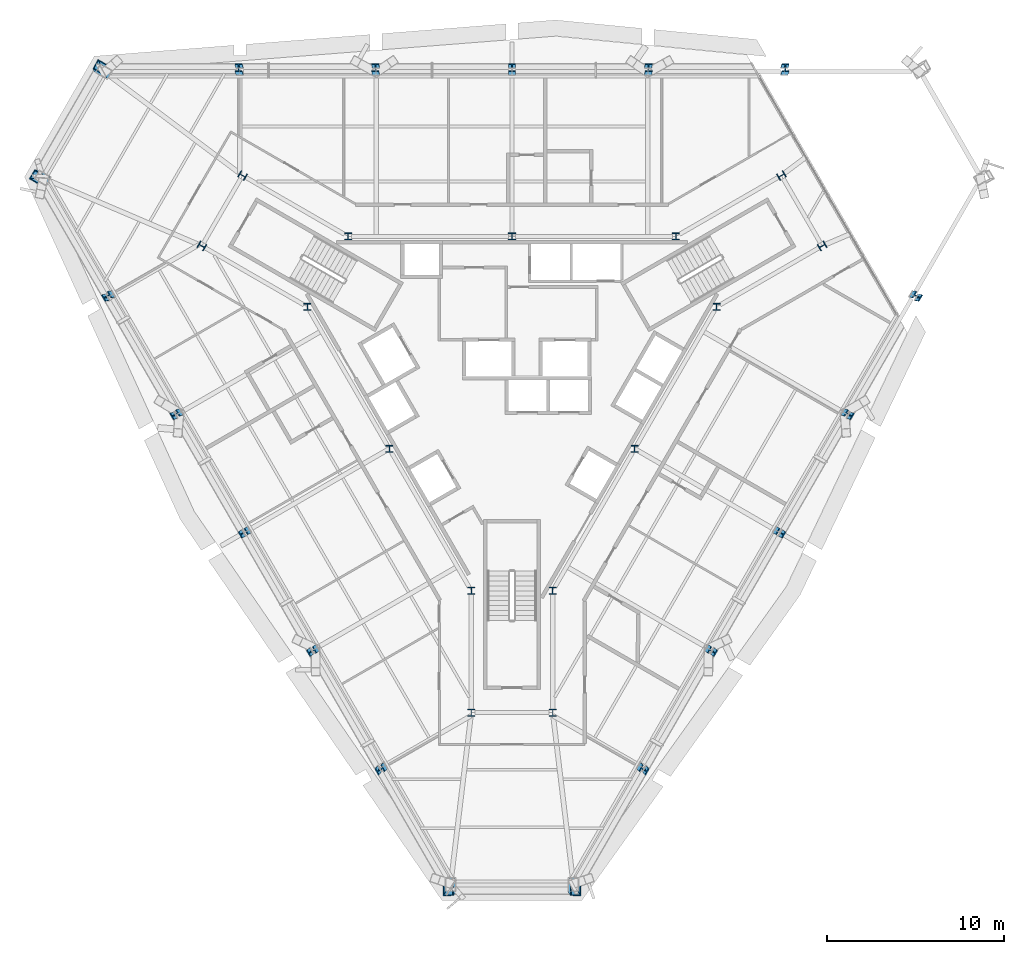
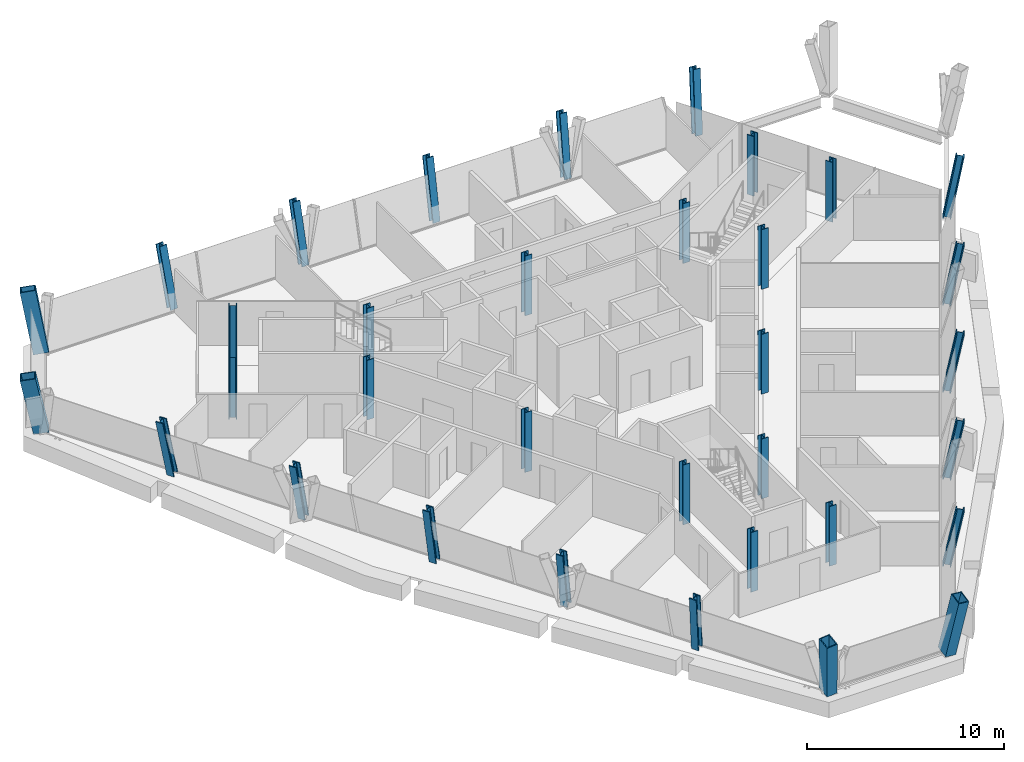
# One storey, part 1 of 12: 34 columns.
"""IFC4 building model written with IfcOpenShell, lengths in metres."""

from ifc_helpers import new_model, si_unit, direction, frame, origin, origin_2d, place, context, subcontext, project, spatial, hollow_rectangle, i_section, extrude, material, material_profile, profile_set, type_object, element, save


model = new_model("IFC4")

# Units and contexts
model_context = context("Model", 3, precision=1e-05, world=origin(), true_north=direction((0.0, 1.0)))
body_context = subcontext(model_context, "Body", "Model", "MODEL_VIEW")
ifc_project = project(units=[si_unit("LENGTHUNIT", "METRE"), si_unit("AREAUNIT", "SQUARE_METRE"), si_unit("VOLUMEUNIT", "CUBIC_METRE"), si_unit("PLANEANGLEUNIT", "RADIAN"), si_unit("MASSUNIT", "GRAM", prefix="KILO")], contexts=[model_context])

# Site, building, storey
site_placement = place(None, origin())
site = spatial("IfcSite", under=ifc_project, at=site_placement, CompositionType="ELEMENT")
building_placement = place(site_placement, origin())
building = spatial("IfcBuilding", under=site, at=building_placement, Name="Verrane Prism Tower", CompositionType="ELEMENT")
storey_placement = place(building_placement, frame((0.0, 0.0, 174.699951171875)))
storey = spatial("IfcBuildingStorey", under=building, at=storey_placement, Name="L43", CompositionType="ELEMENT", Elevation=174.699951171875)

# Columns
ifc_material_1 = material(Name="Steel A992", Category="steel")
ifc_material_profile_1 = material_profile(ifc_material_1, i_section(OverallWidth=0.406494140625, OverallDepth=0.41650390625, WebThickness=0.030029296875, FlangeThickness=0.048095703125, FilletRadius=0.01513671875, at=origin_2d()), Name="W14x257")
ifc_profile_set_1 = profile_set([ifc_material_profile_1], Name="Steel A992")
column_type_1 = type_object("IfcColumnType", Name="Core corner column W14x257", PredefinedType="COLUMN", material=ifc_profile_set_1)
for number, where, z_axis, x_axis, name in (
    (1, (17.52001953125, 7.4599609375, 0.0), (0.0, 0.0, 1.0), (0.5, -0.866025403784, 0.0), "Core corner column CK-NEm L43"),
    (2, (15.219970703125, 11.43994140625, 0.0), (0.0, 0.0, 1.0), (0.5, -0.866025403784, 0.0), "Core corner column CK-NEp L43"),
    (3, (-15.219970703125, 11.43994140625, 0.0), (0.0, 0.0, 1.0), (0.5, 0.866025403784, 0.0), "Core corner column CK-NWm L43"),
    (4, (-17.52001953125, 7.4599609375, 0.0), (0.0, 0.0, 1.0), (0.5, 0.866025403784, 0.0), "Core corner column CK-NWp L43"),
    (5, (-2.300048828125, -18.89990234375, 0.0), (0.0, 0.0, 1.0), (-1.0, 0.0, 0.0), "Core corner column CK-Sm L43"),
    (6, (2.300048828125, -18.89990234375, 0.0), (0.0, 0.0, 1.0), (-1.0, 0.0, 0.0), "Core corner column CK-Sp L43"),
):
    element("IfcColumn", number, at=place(storey_placement, frame(where, z_axis=z_axis, x_axis=x_axis)), inside=storey, type_object=column_type_1, Name=name, PredefinedType="COLUMN", context=body_context, shape_type="SweptSolid", body=[
        extrude(i_section(OverallWidth=0.406494140625, OverallDepth=0.41650390625, WebThickness=0.030029296875, FlangeThickness=0.048095703125, FilletRadius=0.01513671875, at=origin_2d()), origin(), (0.0, 0.0, 1.0), 3.699951171875),
    ])
ifc_material_2 = material(Name="Steel A992", Category="steel")
ifc_material_profile_2 = material_profile(ifc_material_2, i_section(OverallWidth=0.4013671875, OverallDepth=0.398681640625, WebThickness=0.02490234375, FlangeThickness=0.03955078125, FilletRadius=0.01513671875, at=origin_2d()), Name="W14x211")
ifc_profile_set_2 = profile_set([ifc_material_profile_2], Name="Steel A992")
column_type_2 = type_object("IfcColumnType", Name="Core side column W14x211", PredefinedType="COLUMN", material=ifc_profile_set_2)
for number, where, z_axis, x_axis, name in (
    (7, (11.56005859375, 4.02001953125, 0.0), (0.0, 0.0, 1.0), (1.0, 0.0, 0.0), "Core side column CC-NEm L43"),
    (8, (9.260009765625, 8.0, 0.0), (0.0, 0.0, 1.0), (1.0, 0.0, 0.0), "Core side column CC-NEp L43"),
    (9, (0.0, 8.0, 0.0), (0.0, 0.0, 1.0), (1.0, 0.0, 0.0), "Core side column CC-N0 L43"),
    (10, (-9.260009765625, 8.0, 0.0), (0.0, 0.0, 1.0), (1.0, 0.0, 0.0), "Core side column CC-NWm L43"),
    (11, (-11.56005859375, 4.02001953125, 0.0), (0.0, 0.0, 1.0), (1.0, 0.0, 0.0), "Core side column CC-NWp L43"),
    (12, (-6.929931640625, -4.0, 0.0), (0.0, 0.0, 1.0), (1.0, 0.0, 0.0), "Core side column CC-SW0 L43"),
    (13, (-2.300048828125, -12.02001953125, 0.0), (0.0, 0.0, 1.0), (1.0, 0.0, 0.0), "Core side column CC-Sm L43"),
    (14, (2.300048828125, -12.02001953125, 0.0), (0.0, 0.0, 1.0), (1.0, 0.0, 0.0), "Core side column CC-Sp L43"),
    (15, (6.929931640625, -4.0, 0.0), (0.0, 0.0, 1.0), (1.0, 0.0, 0.0), "Core side column CC-SE0 L43"),
):
    element("IfcColumn", number, at=place(storey_placement, frame(where, z_axis=z_axis, x_axis=x_axis)), inside=storey, type_object=column_type_2, Name=name, PredefinedType="COLUMN", context=body_context, shape_type="SweptSolid", body=[
        extrude(i_section(OverallWidth=0.4013671875, OverallDepth=0.398681640625, WebThickness=0.02490234375, FlangeThickness=0.03955078125, FilletRadius=0.01513671875, at=origin_2d()), origin(), (0.0, 0.0, 1.0), 3.699951171875),
    ])
ifc_material_3 = material(Name="Steel A572 Grade 50", Category="steel")
ifc_material_profile_3 = material_profile(ifc_material_3, hollow_rectangle(XDim=0.60009765625, YDim=0.800048828125, WallThickness=0.050048828125, at=origin_2d()), Name="BOX 800x600x50")
ifc_profile_set_3 = profile_set([ifc_material_profile_3], Name="Steel A572 Grade 50")
column_type_3 = type_object("IfcColumnType", Name="Megacolumn BOX 800x600x50", PredefinedType="COLUMN", material=ifc_profile_set_3)
column_1_placement = place(storey_placement, frame((-23.056884765625, 17.322265625, 0.06494140625), z_axis=(-0.105703911209, 0.184881619668, 0.977059604049), x_axis=(0.496815418669, 0.860963064013, -0.109165205894)))
element("IfcColumn", 16, at=column_1_placement, inside=storey, type_object=column_type_3, Name="Megacolumn MC-NW.a L43", PredefinedType="COLUMN", context=body_context, shape_type="SweptSolid", body=[
    extrude(hollow_rectangle(XDim=0.60009765625, YDim=0.800048828125, WallThickness=0.050048828125, at=origin_2d()), origin(), (0.0, 0.0, 1.0), 3.65380859375),
])
column_2_placement = place(storey_placement, frame((-26.524169921875, 11.30029296875, 0.06494140625), z_axis=(-0.213901349947, 0.002605294393, 0.976851792716), x_axis=(0.49700817695, 0.861181491994, 0.106533139876)))
element("IfcColumn", 17, at=column_2_placement, inside=storey, type_object=column_type_3, Name="Megacolumn MC-NW.b L43", PredefinedType="COLUMN", context=body_context, shape_type="SweptSolid", body=[
    extrude(hollow_rectangle(XDim=0.60009765625, YDim=0.800048828125, WallThickness=0.050048828125, at=origin_2d()), origin(), (0.0, 0.0, 1.0), 3.65478515625),
])
for number, where, z_axis, x_axis, name in (
    (18, (-3.47705078125, -28.62255859375, 0.06494140625), (-0.105586624809, -0.187397893241, 0.976592798596), (-0.994206932796, 4.2326694e-05, -0.107482896262), "Megacolumn MC-S.a L43"),
    (19, (3.47705078125, -28.62255859375, 0.06494140625), (0.105586624809, -0.187397893241, 0.976592798596), (-0.994206932796, -4.2326694e-05, 0.107482896262), "Megacolumn MC-S.b L43"),
):
    element("IfcColumn", number, at=place(storey_placement, frame(where, z_axis=z_axis, x_axis=x_axis)), inside=storey, type_object=column_type_3, Name=name, PredefinedType="COLUMN", context=body_context, shape_type="SweptSolid", body=[
        extrude(hollow_rectangle(XDim=0.60009765625, YDim=0.800048828125, WallThickness=0.050048828125, at=origin_2d()), origin(), (0.0, 0.0, 1.0), 3.655517578125),
    ])
ifc_material_4 = material(Name="Steel A992", Category="steel")
ifc_material_profile_4 = material_profile(ifc_material_4, i_section(OverallWidth=0.411376953125, OverallDepth=0.434326171875, WebThickness=0.035888671875, FlangeThickness=0.057373046875, FilletRadius=0.01513671875, at=origin_2d()), Name="W14x311")
ifc_profile_set_4 = profile_set([ifc_material_profile_4], Name="Steel A992")
column_type_4 = type_object("IfcColumnType", Name="Perimeter column W14x311", PredefinedType="COLUMN", material=ifc_profile_set_4)
column_3_placement = place(storey_placement, frame((15.372802734375, 17.317626953125, 0.0400390625), z_axis=(0.06888386825, 0.185431142459, 0.980239921704), x_axis=(0.997540564772, -4.290776e-05, -0.070091510131)))
element("IfcColumn", 20, at=column_3_placement, inside=storey, type_object=column_type_4, Name="Perimeter column PC-N1 L43", PredefinedType="COLUMN", context=body_context, shape_type="SweptSolid", body=[
    extrude(i_section(OverallWidth=0.411376953125, OverallDepth=0.434326171875, WebThickness=0.035888671875, FlangeThickness=0.057373046875, FilletRadius=0.01513671875, at=origin_2d()), origin(), (0.0, 0.0, 1.0), 3.693115234375),
])
column_4_placement = place(storey_placement, frame((7.681396484375, 17.316650390625, 0.03515625), z_axis=(0.037114816882, 0.18577220621, 0.981891632395), x_axis=(0.999284884786, 0.000205075441, -0.037811069577)))
element("IfcColumn", 21, at=column_4_placement, inside=storey, type_object=column_type_4, Name="Perimeter column PC-N2 L43", PredefinedType="COLUMN", context=body_context, shape_type="SweptSolid", body=[
    extrude(i_section(OverallWidth=0.411376953125, OverallDepth=0.434326171875, WebThickness=0.035888671875, FlangeThickness=0.057373046875, FilletRadius=0.01513671875, at=origin_2d()), origin(), (0.0, 0.0, 1.0), 3.69677734375),
])
column_5_placement = place(storey_placement, frame((0.0, 17.316650390625, 0.03515625), z_axis=(0.0, 0.185900290054, 0.982568614478), x_axis=(1.0, 0.0, 0.0)))
element("IfcColumn", 22, at=column_5_placement, inside=storey, type_object=column_type_4, Name="Perimeter column PC-N3 L43", PredefinedType="COLUMN", context=body_context, shape_type="SweptSolid", body=[
    extrude(i_section(OverallWidth=0.411376953125, OverallDepth=0.434326171875, WebThickness=0.035888671875, FlangeThickness=0.057373046875, FilletRadius=0.01513671875, at=origin_2d()), origin(), (0.0, 0.0, 1.0), 3.6943359375),
])
column_6_placement = place(storey_placement, frame((-7.681396484375, 17.316650390625, 0.03515625), z_axis=(-0.037114816882, 0.18577220621, 0.981891632395), x_axis=(0.999284884786, -0.000205075441, 0.037811069577)))
element("IfcColumn", 23, at=column_6_placement, inside=storey, type_object=column_type_4, Name="Perimeter column PC-N4 L43", PredefinedType="COLUMN", context=body_context, shape_type="SweptSolid", body=[
    extrude(i_section(OverallWidth=0.411376953125, OverallDepth=0.434326171875, WebThickness=0.035888671875, FlangeThickness=0.057373046875, FilletRadius=0.01513671875, at=origin_2d()), origin(), (0.0, 0.0, 1.0), 3.69677734375),
])
column_7_placement = place(storey_placement, frame((-15.372802734375, 17.317626953125, 0.0400390625), z_axis=(-0.06888386825, 0.185431142459, 0.980239921704), x_axis=(0.997540564772, 4.290776e-05, 0.070091510131)))
element("IfcColumn", 24, at=column_7_placement, inside=storey, type_object=column_type_4, Name="Perimeter column PC-N5 L43", PredefinedType="COLUMN", context=body_context, shape_type="SweptSolid", body=[
    extrude(i_section(OverallWidth=0.411376953125, OverallDepth=0.434326171875, WebThickness=0.035888671875, FlangeThickness=0.057373046875, FilletRadius=0.01513671875, at=origin_2d()), origin(), (0.0, 0.0, 1.0), 3.693115234375),
])
column_8_placement = place(storey_placement, frame((-22.677978515625, 4.648681640625, 0.0400390625), z_axis=(-0.196058591041, -0.029084888759, 0.980160751165), x_axis=(-0.498371232054, 0.863795030642, -0.07405579045)))
element("IfcColumn", 25, at=column_8_placement, inside=storey, type_object=column_type_4, Name="Perimeter column PC-SW1 L43", PredefinedType="COLUMN", context=body_context, shape_type="SweptSolid", body=[
    extrude(i_section(OverallWidth=0.411376953125, OverallDepth=0.434326171875, WebThickness=0.035888671875, FlangeThickness=0.057373046875, FilletRadius=0.01513671875, at=origin_2d()), origin(), (0.0, 0.0, 1.0), 3.693359375),
])
column_9_placement = place(storey_placement, frame((-18.83642578125, -2.002197265625, 0.03515625), z_axis=(-0.180451873163, -0.061008975778, 0.981689882981), x_axis=(-0.499524497099, 0.86546437235, -0.038035470172)))
element("IfcColumn", 26, at=column_9_placement, inside=storey, type_object=column_type_4, Name="Perimeter column PC-SW2 L43", PredefinedType="COLUMN", context=body_context, shape_type="SweptSolid", body=[
    extrude(i_section(OverallWidth=0.411376953125, OverallDepth=0.434326171875, WebThickness=0.035888671875, FlangeThickness=0.057373046875, FilletRadius=0.01513671875, at=origin_2d()), origin(), (0.0, 0.0, 1.0), 3.697509765625),
])
column_10_placement = place(storey_placement, frame((-14.995849609375, -8.6533203125, 0.03515625), z_axis=(-0.16191056894, -0.095587349349, 0.982164968989), x_axis=(-0.50013253787, 0.865946936972, 0.001829457054)))
element("IfcColumn", 27, at=column_10_placement, inside=storey, type_object=column_type_4, Name="Perimeter column PC-SW3 L43", PredefinedType="COLUMN", context=body_context, shape_type="SweptSolid", body=[
    extrude(i_section(OverallWidth=0.411376953125, OverallDepth=0.434326171875, WebThickness=0.035888671875, FlangeThickness=0.057373046875, FilletRadius=0.01513671875, at=origin_2d()), origin(), (0.0, 0.0, 1.0), 3.69580078125),
])
column_11_placement = place(storey_placement, frame((-11.155029296875, -15.314453125, 0.03515625), z_axis=(-0.143292975225, -0.124737525438, 0.981787997991), x_axis=(-0.499725907096, 0.865392394927, 0.037013789052)))
element("IfcColumn", 28, at=column_11_placement, inside=storey, type_object=column_type_4, Name="Perimeter column PC-SW4 L43", PredefinedType="COLUMN", context=body_context, shape_type="SweptSolid", body=[
    extrude(i_section(OverallWidth=0.411376953125, OverallDepth=0.434326171875, WebThickness=0.035888671875, FlangeThickness=0.057373046875, FilletRadius=0.01513671875, at=origin_2d()), origin(), (0.0, 0.0, 1.0), 3.697265625),
])
for number, where, z_axis, x_axis, name in (
    (29, (-7.315185546875, -21.96630859375, 0.0400390625), (-0.124429833743, -0.156280699311, 0.979843640331), (-0.498834724262, 0.86349979086, 0.074377611249), "Perimeter column PC-SW5 L43"),
    (30, (7.315185546875, -21.96630859375, 0.0400390625), (0.124429833743, -0.156280699311, 0.979843640331), (-0.498834724262, -0.86349979086, -0.074377611249), "Perimeter column PC-SE1 L43"),
):
    element("IfcColumn", number, at=place(storey_placement, frame(where, z_axis=z_axis, x_axis=x_axis)), inside=storey, type_object=column_type_4, Name=name, PredefinedType="COLUMN", context=body_context, shape_type="SweptSolid", body=[
        extrude(i_section(OverallWidth=0.411376953125, OverallDepth=0.434326171875, WebThickness=0.035888671875, FlangeThickness=0.057373046875, FilletRadius=0.01513671875, at=origin_2d()), origin(), (0.0, 0.0, 1.0), 3.694580078125),
    ])
column_12_placement = place(storey_placement, frame((11.155029296875, -15.314453125, 0.03515625), z_axis=(0.143292975225, -0.124737525438, 0.981787997991), x_axis=(-0.499725907096, -0.865392394927, -0.037013789052)))
element("IfcColumn", 31, at=column_12_placement, inside=storey, type_object=column_type_4, Name="Perimeter column PC-SE2 L43", PredefinedType="COLUMN", context=body_context, shape_type="SweptSolid", body=[
    extrude(i_section(OverallWidth=0.411376953125, OverallDepth=0.434326171875, WebThickness=0.035888671875, FlangeThickness=0.057373046875, FilletRadius=0.01513671875, at=origin_2d()), origin(), (0.0, 0.0, 1.0), 3.697265625),
])
column_13_placement = place(storey_placement, frame((14.995849609375, -8.6533203125, 0.03515625), z_axis=(0.16191056894, -0.095587349349, 0.982164968989), x_axis=(-0.50013253787, -0.865946936972, -0.001829457054)))
element("IfcColumn", 32, at=column_13_placement, inside=storey, type_object=column_type_4, Name="Perimeter column PC-SE3 L43", PredefinedType="COLUMN", context=body_context, shape_type="SweptSolid", body=[
    extrude(i_section(OverallWidth=0.411376953125, OverallDepth=0.434326171875, WebThickness=0.035888671875, FlangeThickness=0.057373046875, FilletRadius=0.01513671875, at=origin_2d()), origin(), (0.0, 0.0, 1.0), 3.69580078125),
])
column_14_placement = place(storey_placement, frame((18.83642578125, -2.002197265625, 0.03515625), z_axis=(0.180451873163, -0.061008975778, 0.981689882981), x_axis=(-0.499524497099, -0.86546437235, 0.038035470172)))
element("IfcColumn", 33, at=column_14_placement, inside=storey, type_object=column_type_4, Name="Perimeter column PC-SE4 L43", PredefinedType="COLUMN", context=body_context, shape_type="SweptSolid", body=[
    extrude(i_section(OverallWidth=0.411376953125, OverallDepth=0.434326171875, WebThickness=0.035888671875, FlangeThickness=0.057373046875, FilletRadius=0.01513671875, at=origin_2d()), origin(), (0.0, 0.0, 1.0), 3.697509765625),
])
column_15_placement = place(storey_placement, frame((22.677978515625, 4.648681640625, 0.0400390625), z_axis=(0.196058591041, -0.029084888759, 0.980160751165), x_axis=(-0.498371232054, -0.863795030642, 0.07405579045)))
element("IfcColumn", 34, at=column_15_placement, inside=storey, type_object=column_type_4, Name="Perimeter column PC-SE5 L43", PredefinedType="COLUMN", context=body_context, shape_type="SweptSolid", body=[
    extrude(i_section(OverallWidth=0.411376953125, OverallDepth=0.434326171875, WebThickness=0.035888671875, FlangeThickness=0.057373046875, FilletRadius=0.01513671875, at=origin_2d()), origin(), (0.0, 0.0, 1.0), 3.693359375),
])

save(model, "model.ifc")
